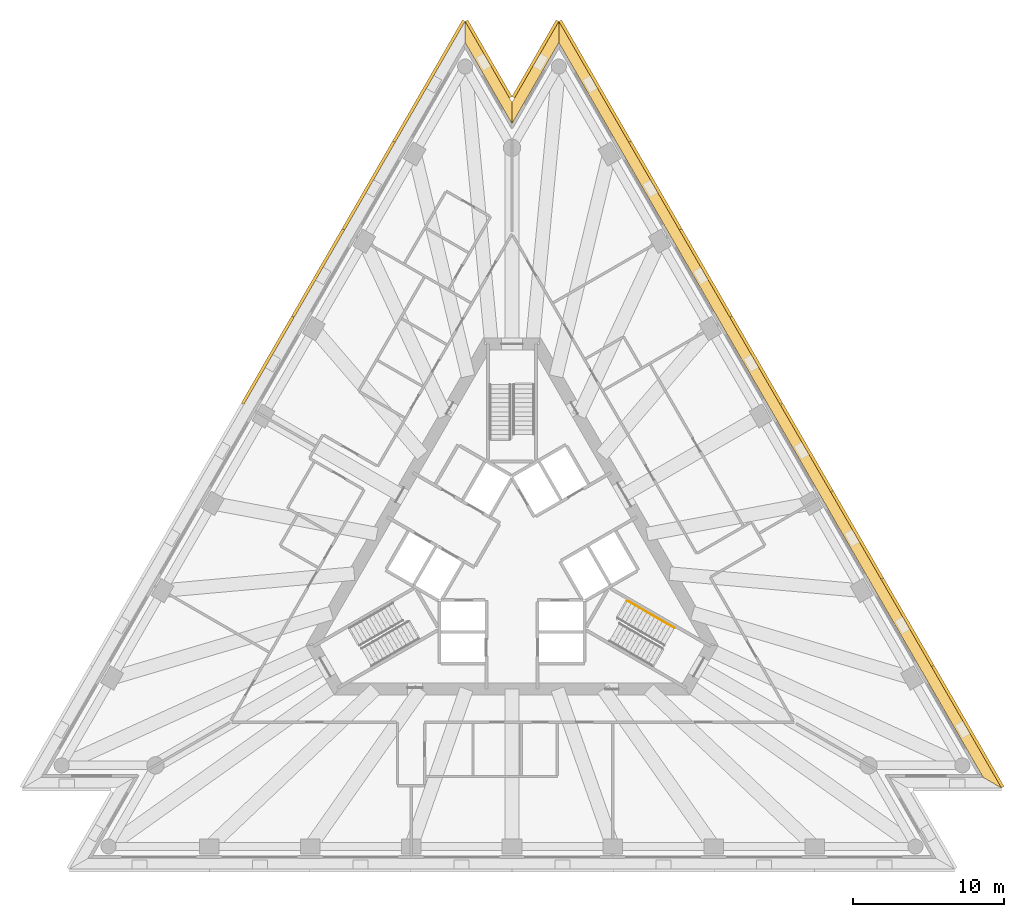
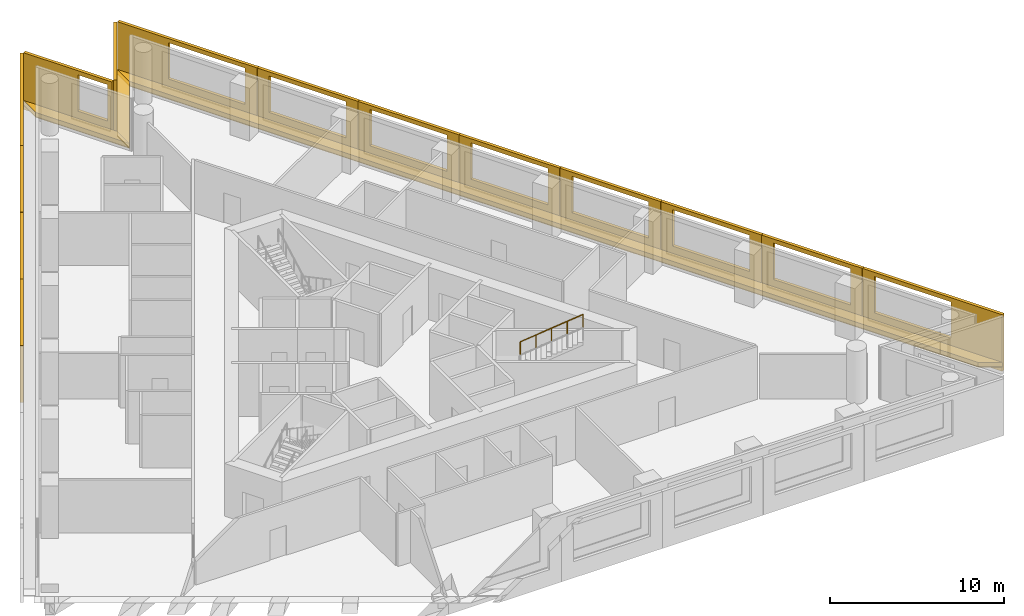
# One storey, part 9 of 9: 17 shading devices, 3 coverings, 1 railing, 1 element without a shape of its own.
"""IFC4 building model written with IfcOpenShell, lengths in metres."""

from ifc_helpers import new_model, si_unit, direction, frame, origin, origin_2d, place, context, subcontext, project, spatial, polyline, circle, outline, extrude, material, layer, layer_set, layer_usage, type_object, element, aggregate, save


model = new_model("IFC4")

# Units and contexts
model_context = context("Model", 3, precision=1e-05, world=origin(), true_north=direction((0.0, 1.0)))
body_context = subcontext(model_context, "Body", "Model", "MODEL_VIEW")
ifc_project = project(units=[si_unit("LENGTHUNIT", "METRE"), si_unit("AREAUNIT", "SQUARE_METRE"), si_unit("VOLUMEUNIT", "CUBIC_METRE"), si_unit("PLANEANGLEUNIT", "RADIAN"), si_unit("MASSUNIT", "GRAM", prefix="KILO")], contexts=[model_context])

# Site, building, storey
site_placement = place(None, origin())
site = spatial("IfcSite", under=ifc_project, at=site_placement, CompositionType="ELEMENT")
building_placement = place(site_placement, origin())
building = spatial("IfcBuilding", under=site, at=building_placement, Name="Triada Interchange Tower", CompositionType="ELEMENT")
storey_placement = place(building_placement, frame((0.0, 0.0, 140.300048828125)))
storey = spatial("IfcBuildingStorey", under=building, at=storey_placement, Name="L32", CompositionType="ELEMENT", Elevation=140.300048828125)

# Coverings
ifc_material_1 = material(Name="Mineral fire-stop board")
ifc_layer_1 = layer(ifc_material_1, 0.0400390625, Name="Mineral fire-stop board")
ifc_material_2 = material(Name="Intumescent sealant")
ifc_layer_2 = layer(ifc_material_2, 0.010009765625, Name="Intumescent seal")
ifc_layer_set_1 = layer_set([ifc_layer_1, ifc_layer_2], Name="Cavity fire stop")
ifc_layer_usage = layer_usage(ifc_layer_set_1, "AXIS3", "POSITIVE", 0.0)
covering_type = type_object("IfcCoveringType", Name="Cavity fire stop", PredefinedType="INSULATION", material=ifc_layer_set_1)
covering_1_placement = place(storey_placement, origin())
element("IfcCovering", 1, at=covering_1_placement, inside=storey, type_object=covering_type, material=ifc_layer_usage, Name="Cavity fire stop L32 NE", PredefinedType="INSULATION", context=body_context, shape_type="SweptSolid", body=[
    extrude(outline(polyline([(31.25390625, -14.455078125), (32.466064453125, -15.155029296875), (3.10791015625, 35.694091796875), (3.10791015625, 34.2939453125), (31.25390625, -14.455078125)])), origin(), (0.0, 0.0, 1.0), 0.050048828125),
])
covering_2_placement = place(storey_placement, origin())
element("IfcCovering", 2, at=covering_2_placement, inside=storey, type_object=covering_type, material=ifc_layer_usage, Name="Cavity fire stop L32 N-1", PredefinedType="INSULATION", context=body_context, shape_type="SweptSolid", body=[
    extrude(outline(polyline([(3.10791015625, 34.2939453125), (3.10791015625, 35.694091796875), (0.0, 30.31103515625), (0.0, 28.910888671875), (3.10791015625, 34.2939453125)])), origin(), (0.0, 0.0, 1.0), 0.050048828125),
])
covering_3_placement = place(storey_placement, origin())
element("IfcCovering", 3, at=covering_3_placement, inside=storey, type_object=covering_type, material=ifc_layer_usage, Name="Cavity fire stop L32 N-2", PredefinedType="INSULATION", context=body_context, shape_type="SweptSolid", body=[
    extrude(outline(polyline([(0.0, 28.910888671875), (0.0, 30.31103515625), (-3.10791015625, 35.694091796875), (-3.10791015625, 34.2939453125), (0.0, 28.910888671875)])), origin(), (0.0, 0.0, 1.0), 0.050048828125),
])

# Shading devices
ifc_material_3 = material(Name="Aluminium louvre", Category="aluminium")
shading_device_type_1 = type_object("IfcShadingDeviceType", Name="Cavity louvre grille", PredefinedType="JALOUSIE", material=ifc_material_3)
shading_device_1_placement = place(storey_placement, frame((0.0, 0.0, 0.050048828125)))
element("IfcShadingDevice", 4, at=shading_device_1_placement, inside=storey, type_object=shading_device_type_1, Name="Cavity louvre grille L32 NE", PredefinedType="JALOUSIE", context=body_context, shape_type="SweptSolid", body=[
    extrude(outline(polyline([(31.25390625, -14.455078125), (32.466064453125, -15.155029296875), (3.10791015625, 35.694091796875), (3.10791015625, 34.2939453125), (31.25390625, -14.455078125)])), origin(), (0.0, 0.0, 1.0), 0.2998046875),
])
shading_device_2_placement = place(storey_placement, frame((0.0, 0.0, 0.050048828125)))
element("IfcShadingDevice", 5, at=shading_device_2_placement, inside=storey, type_object=shading_device_type_1, Name="Cavity louvre grille L32 N-1", PredefinedType="JALOUSIE", context=body_context, shape_type="SweptSolid", body=[
    extrude(outline(polyline([(3.10791015625, 34.2939453125), (3.10791015625, 35.694091796875), (0.0, 30.31103515625), (0.0, 28.910888671875), (3.10791015625, 34.2939453125)])), origin(), (0.0, 0.0, 1.0), 0.2998046875),
])
shading_device_3_placement = place(storey_placement, frame((0.0, 0.0, 0.050048828125)))
element("IfcShadingDevice", 6, at=shading_device_3_placement, inside=storey, type_object=shading_device_type_1, Name="Cavity louvre grille L32 N-2", PredefinedType="JALOUSIE", context=body_context, shape_type="SweptSolid", body=[
    extrude(outline(polyline([(0.0, 28.910888671875), (0.0, 30.31103515625), (-3.10791015625, 35.694091796875), (-3.10791015625, 34.2939453125), (0.0, 28.910888671875)])), origin(), (0.0, 0.0, 1.0), 0.2998046875),
])
ifc_material_4 = material(Name="Concrete C50/60 precast", Category="concrete")
ifc_layer_3 = layer(ifc_material_4, 0.02001953125, Name="Exposed aggregate face")
ifc_layer_4 = layer(ifc_material_4, 0.179931640625, Name="Precast concrete screen")
ifc_layer_set_2 = layer_set([ifc_layer_3, ifc_layer_4], Name="Outer skin screen panel 3980")
shading_device_type_2 = type_object("IfcShadingDeviceType", Name="Outer skin screen panel 3980", PredefinedType="SHUTTER", material=ifc_layer_set_2)
shading_device_4_placement = place(storey_placement, frame((-3.113037109375, 35.68505859375, -0.2900390625), z_axis=(0.0, 0.0, 1.0), x_axis=(-0.500012049799, -0.866018446718, 0.0)))
element("IfcShadingDevice", 7, at=shading_device_4_placement, inside=storey, type_object=shading_device_type_2, Name="Outer skin screen panel L32 01", PredefinedType="SHUTTER", context=body_context, shape_type="SweptSolid", body=[
    extrude(outline(polyline([(0.0, 0.0), (9.267822265625, 0.0), (9.267822265625, 3.97998046875), (0.0, 3.97998046875), (0.0, 0.0)]), holes=[polyline([(3.382568359375, 1.139892578125), (3.382568359375, 3.68994140625), (8.482666015625, 3.68994140625), (8.482666015625, 1.139892578125), (3.382568359375, 1.139892578125)])]), frame((0.0, 0.0, 0.0), z_axis=(0.0, -1.0, 0.0), x_axis=(1.0, 0.0, 0.0)), (0.0, 0.0, 1.0), 0.199951171875),
])
shading_device_5_placement = place(storey_placement, frame((-7.757080078125, 27.64208984375, -0.2900390625), z_axis=(0.0, 0.0, 1.0), x_axis=(-0.499949507731, -0.866054553547, 0.0)))
element("IfcShadingDevice", 8, at=shading_device_5_placement, inside=storey, type_object=shading_device_type_2, Name="Outer skin screen panel L32 02", PredefinedType="SHUTTER", context=body_context, shape_type="SweptSolid", body=[
    extrude(outline(polyline([(0.0, 0.0), (6.670654296875, 0.0), (6.670654296875, 3.97998046875), (0.0, 3.97998046875), (0.0, 0.0)]), holes=[polyline([(0.78466796875, 1.139892578125), (0.78466796875, 3.68994140625), (5.884521484375, 3.68994140625), (5.884521484375, 1.139892578125), (0.78466796875, 1.139892578125)])]), frame((0.0, 0.0, 0.0), z_axis=(0.0, -1.0, 0.0), x_axis=(1.0, 0.0, 0.0)), (0.0, 0.0, 1.0), 0.199951171875),
])
shading_device_6_placement = place(storey_placement, frame((-11.10205078125, 21.847900390625, -0.2900390625), z_axis=(0.0, 0.0, 1.0), x_axis=(-0.500028753158, -0.866008802504, 0.0)))
element("IfcShadingDevice", 9, at=shading_device_6_placement, inside=storey, type_object=shading_device_type_2, Name="Outer skin screen panel L32 03", PredefinedType="SHUTTER", context=body_context, shape_type="SweptSolid", body=[
    extrude(outline(polyline([(0.0, 0.0), (6.66943359375, 0.0), (6.66943359375, 3.97998046875), (0.0, 3.97998046875), (0.0, 0.0)]), holes=[polyline([(0.78466796875, 1.139892578125), (0.78466796875, 3.68994140625), (5.884765625, 3.68994140625), (5.884765625, 1.139892578125), (0.78466796875, 1.139892578125)])]), frame((0.0, 0.0, 0.0), z_axis=(0.0, -1.0, 0.0), x_axis=(1.0, 0.0, 0.0)), (0.0, 0.0, 1.0), 0.199951171875),
])
shading_device_7_placement = place(storey_placement, frame((-14.447021484375, 16.054931640625, -0.2900390625), z_axis=(0.0, 0.0, 1.0), x_axis=(-0.499965355142, -0.866045405079, 0.0)))
element("IfcShadingDevice", 10, at=shading_device_7_placement, inside=storey, type_object=shading_device_type_2, Name="Outer skin screen panel L32 04", PredefinedType="SHUTTER", context=body_context, shape_type="SweptSolid", body=[
    extrude(outline(polyline([(0.0, 0.0), (6.67041015625, 0.0), (6.67041015625, 3.97998046875), (0.0, 3.97998046875), (0.0, 0.0)]), holes=[polyline([(0.78466796875, 1.139892578125), (0.78466796875, 3.68994140625), (5.884765625, 3.68994140625), (5.884765625, 1.139892578125), (0.78466796875, 1.139892578125)])]), frame((0.0, 0.0, 0.0), z_axis=(0.0, -1.0, 0.0), x_axis=(1.0, 0.0, 0.0)), (0.0, 0.0, 1.0), 0.199951171875),
])
shading_device_8_placement = place(storey_placement, frame((32.4609375, -15.14599609375, -0.2900390625), z_axis=(0.0, 0.0, 1.0), x_axis=(-0.500023456952, 0.866011860483, 0.0)))
element("IfcShadingDevice", 11, at=shading_device_8_placement, inside=storey, type_object=shading_device_type_2, Name="Outer skin screen panel L32 21", PredefinedType="SHUTTER", context=body_context, shape_type="SweptSolid", body=[
    extrude(outline(polyline([(0.0, 0.0), (9.267578125, 0.0), (9.267578125, 3.97998046875), (0.0, 3.97998046875), (0.0, 0.0)]), holes=[polyline([(3.38330078125, 1.139892578125), (3.38330078125, 3.68994140625), (8.4833984375, 3.68994140625), (8.4833984375, 1.139892578125), (3.38330078125, 1.139892578125)])]), frame((0.0, 0.0, 0.0), z_axis=(0.0, -1.0, 0.0), x_axis=(1.0, 0.0, 0.0)), (0.0, 0.0, 1.0), 0.199951171875),
])
shading_device_9_placement = place(storey_placement, frame((27.81689453125, -7.10302734375, -0.2900390625), z_axis=(0.0, 0.0, 1.0), x_axis=(-0.499949507731, 0.866054553547, 0.0)))
element("IfcShadingDevice", 12, at=shading_device_9_placement, inside=storey, type_object=shading_device_type_2, Name="Outer skin screen panel L32 22", PredefinedType="SHUTTER", context=body_context, shape_type="SweptSolid", body=[
    extrude(outline(polyline([(0.0, 0.0), (6.670654296875, 0.0), (6.670654296875, 3.97998046875), (0.0, 3.97998046875), (0.0, 0.0)]), holes=[polyline([(0.785400390625, 1.139892578125), (0.785400390625, 3.68994140625), (5.88525390625, 3.68994140625), (5.88525390625, 1.139892578125), (0.785400390625, 1.139892578125)])]), frame((0.0, 0.0, 0.0), z_axis=(0.0, -1.0, 0.0), x_axis=(1.0, 0.0, 0.0)), (0.0, 0.0, 1.0), 0.199951171875),
])
shading_device_10_placement = place(storey_placement, frame((24.471923828125, -1.30908203125, -0.2900390625), z_axis=(0.0, 0.0, 1.0), x_axis=(-0.500012902398, 0.866017954453, 0.0)))
element("IfcShadingDevice", 13, at=shading_device_10_placement, inside=storey, type_object=shading_device_type_2, Name="Outer skin screen panel L32 23", PredefinedType="SHUTTER", context=body_context, shape_type="SweptSolid", body=[
    extrude(outline(polyline([(0.0, 0.0), (6.669677734375, 0.0), (6.669677734375, 3.97998046875), (0.0, 3.97998046875), (0.0, 0.0)]), holes=[polyline([(0.785400390625, 1.139892578125), (0.785400390625, 3.68994140625), (5.885498046875, 3.68994140625), (5.885498046875, 1.139892578125), (0.785400390625, 1.139892578125)])]), frame((0.0, 0.0, 0.0), z_axis=(0.0, -1.0, 0.0), x_axis=(1.0, 0.0, 0.0)), (0.0, 0.0, 1.0), 0.199951171875),
])
shading_device_11_placement = place(storey_placement, frame((21.126953125, 4.485107421875, -0.2900390625), z_axis=(0.0, 0.0, 1.0), x_axis=(-0.500028753158, 0.866008802504, 0.0)))
element("IfcShadingDevice", 14, at=shading_device_11_placement, inside=storey, type_object=shading_device_type_2, Name="Outer skin screen panel L32 24", PredefinedType="SHUTTER", context=body_context, shape_type="SweptSolid", body=[
    extrude(outline(polyline([(0.0, 0.0), (6.66943359375, 0.0), (6.66943359375, 3.97998046875), (0.0, 3.97998046875), (0.0, 0.0)]), holes=[polyline([(0.784423828125, 1.139892578125), (0.784423828125, 3.68994140625), (5.884521484375, 3.68994140625), (5.884521484375, 1.139892578125), (0.784423828125, 1.139892578125)])]), frame((0.0, 0.0, 0.0), z_axis=(0.0, -1.0, 0.0), x_axis=(1.0, 0.0, 0.0)), (0.0, 0.0, 1.0), 0.199951171875),
])
shading_device_12_placement = place(storey_placement, frame((17.781982421875, 10.278076171875, -0.2900390625), z_axis=(0.0, 0.0, 1.0), x_axis=(-0.499965355142, 0.866045405079, 0.0)))
element("IfcShadingDevice", 15, at=shading_device_12_placement, inside=storey, type_object=shading_device_type_2, Name="Outer skin screen panel L32 25", PredefinedType="SHUTTER", context=body_context, shape_type="SweptSolid", body=[
    extrude(outline(polyline([(0.0, 0.0), (6.67041015625, 0.0), (6.67041015625, 3.97998046875), (0.0, 3.97998046875), (0.0, 0.0)]), holes=[polyline([(0.784423828125, 1.139892578125), (0.784423828125, 3.68994140625), (5.884521484375, 3.68994140625), (5.884521484375, 1.139892578125), (0.784423828125, 1.139892578125)])]), frame((0.0, 0.0, 0.0), z_axis=(0.0, -1.0, 0.0), x_axis=(1.0, 0.0, 0.0)), (0.0, 0.0, 1.0), 0.199951171875),
])
shading_device_13_placement = place(storey_placement, frame((14.43701171875, 16.072021484375, -0.2900390625), z_axis=(0.0, 0.0, 1.0), x_axis=(-0.500028753158, 0.866008802504, 0.0)))
element("IfcShadingDevice", 16, at=shading_device_13_placement, inside=storey, type_object=shading_device_type_2, Name="Outer skin screen panel L32 26", PredefinedType="SHUTTER", context=body_context, shape_type="SweptSolid", body=[
    extrude(outline(polyline([(0.0, 0.0), (6.66943359375, 0.0), (6.66943359375, 3.97998046875), (0.0, 3.97998046875), (0.0, 0.0)]), holes=[polyline([(0.78466796875, 1.139892578125), (0.78466796875, 3.68994140625), (5.884521484375, 3.68994140625), (5.884521484375, 1.139892578125), (0.78466796875, 1.139892578125)])]), frame((0.0, 0.0, 0.0), z_axis=(0.0, -1.0, 0.0), x_axis=(1.0, 0.0, 0.0)), (0.0, 0.0, 1.0), 0.199951171875),
])
shading_device_14_placement = place(storey_placement, frame((11.092041015625, 21.864990234375, -0.2900390625), z_axis=(0.0, 0.0, 1.0), x_axis=(-0.499949507731, 0.866054553547, 0.0)))
element("IfcShadingDevice", 17, at=shading_device_14_placement, inside=storey, type_object=shading_device_type_2, Name="Outer skin screen panel L32 27", PredefinedType="SHUTTER", context=body_context, shape_type="SweptSolid", body=[
    extrude(outline(polyline([(0.0, 0.0), (6.670654296875, 0.0), (6.670654296875, 3.97998046875), (0.0, 3.97998046875), (0.0, 0.0)]), holes=[polyline([(0.78466796875, 1.139892578125), (0.78466796875, 3.68994140625), (5.884765625, 3.68994140625), (5.884765625, 1.139892578125), (0.78466796875, 1.139892578125)])]), frame((0.0, 0.0, 0.0), z_axis=(0.0, -1.0, 0.0), x_axis=(1.0, 0.0, 0.0)), (0.0, 0.0, 1.0), 0.199951171875),
])
shading_device_15_placement = place(storey_placement, frame((7.7470703125, 27.658935546875, -0.2900390625), z_axis=(0.0, 0.0, 1.0), x_axis=(-0.500012049799, 0.866018446718, 0.0)))
element("IfcShadingDevice", 18, at=shading_device_15_placement, inside=storey, type_object=shading_device_type_2, Name="Outer skin screen panel L32 28", PredefinedType="SHUTTER", context=body_context, shape_type="SweptSolid", body=[
    extrude(outline(polyline([(0.0, 0.0), (9.267822265625, 0.0), (9.267822265625, 3.97998046875), (0.0, 3.97998046875), (0.0, 0.0)]), holes=[polyline([(0.78466796875, 1.139892578125), (0.78466796875, 3.68994140625), (5.884765625, 3.68994140625), (5.884765625, 1.139892578125), (0.78466796875, 1.139892578125)])]), frame((0.0, 0.0, 0.0), z_axis=(0.0, -1.0, 0.0), x_axis=(1.0, 0.0, 0.0)), (0.0, 0.0, 1.0), 0.199951171875),
])
shading_device_16_placement = place(storey_placement, frame((3.10302734375, 35.68505859375, -0.2900390625), z_axis=(0.0, 0.0, 1.0), x_axis=(-0.500103034405, -0.86596590867, 0.0)))
element("IfcShadingDevice", 19, at=shading_device_16_placement, inside=storey, type_object=shading_device_type_2, Name="Outer skin screen panel L32 29", PredefinedType="SHUTTER", context=body_context, shape_type="SweptSolid", body=[
    extrude(outline(polyline([(0.0, 0.0), (5.848876953125, 0.0), (5.848876953125, 3.97998046875), (0.0, 3.97998046875), (0.0, 0.0)]), holes=[polyline([(3.175537109375, 1.139892578125), (3.175537109375, 3.68994140625), (5.54931640625, 3.68994140625), (5.54931640625, 1.139892578125), (3.175537109375, 1.139892578125)])]), frame((0.0, 0.0, 0.0), z_axis=(0.0, -1.0, 0.0), x_axis=(1.0, 0.0, 0.0)), (0.0, 0.0, 1.0), 0.199951171875),
])
shading_device_17_placement = place(storey_placement, frame((-0.177978515625, 30.6201171875, -0.2900390625), z_axis=(0.0, 0.0, 1.0), x_axis=(-0.500103034405, 0.86596590867, 0.0)))
element("IfcShadingDevice", 20, at=shading_device_17_placement, inside=storey, type_object=shading_device_type_2, Name="Outer skin screen panel L32 30", PredefinedType="SHUTTER", context=body_context, shape_type="SweptSolid", body=[
    extrude(outline(polyline([(0.0, 0.0), (5.848876953125, 0.0), (5.848876953125, 3.97998046875), (0.0, 3.97998046875), (0.0, 0.0)]), holes=[polyline([(0.300048828125, 1.139892578125), (0.300048828125, 3.68994140625), (2.2578125, 3.68994140625), (2.2578125, 1.139892578125), (0.300048828125, 1.139892578125)])]), frame((0.0, 0.0, 0.0), z_axis=(0.0, -1.0, 0.0), x_axis=(1.0, 0.0, 0.0)), (0.0, 0.0, 1.0), 0.199951171875),
])

# Stair, railing
ifc_material_5 = material(Name="Concrete C35/45", Category="concrete")
stair_type = type_object("IfcStairType", Name="HALF TURN STAIR 1400", PredefinedType="HALF_TURN_STAIR", material=ifc_material_5)
stair_placement = place(storey_placement, origin())
stair = element("IfcStair", 21, at=stair_placement, inside=storey, type_object=stair_type, Name="Exit stair S32-3", PredefinedType="HALF_TURN_STAIR")
ifc_material_6 = material(Name="Stainless steel 1.4301", Category="steel")
railing_type = type_object("IfcRailingType", Name="STAIR HANDRAIL 900", PredefinedType="HANDRAIL", material=ifc_material_6)
railing_placement = place(storey_placement, frame((7.653076171875, -2.743896484375, 2.079833984375)))
railing = element("IfcRailing", 22, at=railing_placement, type_object=railing_type, Name="Handrail S32-3 2W", PredefinedType="HANDRAIL", context=body_context, shape_type="SweptSolid", body=[
    extrude(circle(Radius=0.02392578125, at=origin_2d()), frame((0.0, 0.0, 0.8759765625), z_axis=(0.76414469501, -0.441158784458, 0.470597292793), x_axis=(0.499982693035, 0.866035395735, 0.0)), (0.0, 0.0, 1.0), 4.080322265625),
    extrude(circle(Radius=0.02099609375, at=origin_2d()), origin(), (0.0, 0.0, 1.0), 0.851806640625),
    extrude(circle(Radius=0.02099609375, at=origin_2d()), frame((0.779541015625, -0.449951171875, 0.47998046875)), (0.0, 0.0, 1.0), 0.851806640625),
    extrude(circle(Radius=0.02099609375, at=origin_2d()), frame((1.55908203125, -0.89990234375, 0.9599609375)), (0.0, 0.0, 1.0), 0.851806640625),
    extrude(circle(Radius=0.02099609375, at=origin_2d()), frame((2.33837890625, -1.35009765625, 1.440185546875)), (0.0, 0.0, 1.0), 0.851806640625),
    extrude(circle(Radius=0.02099609375, at=origin_2d()), frame((3.117919921875, -1.800048828125, 1.920166015625)), (0.0, 0.0, 1.0), 0.851806640625),
])
aggregate(stair, [railing])

save(model, "model.ifc")
